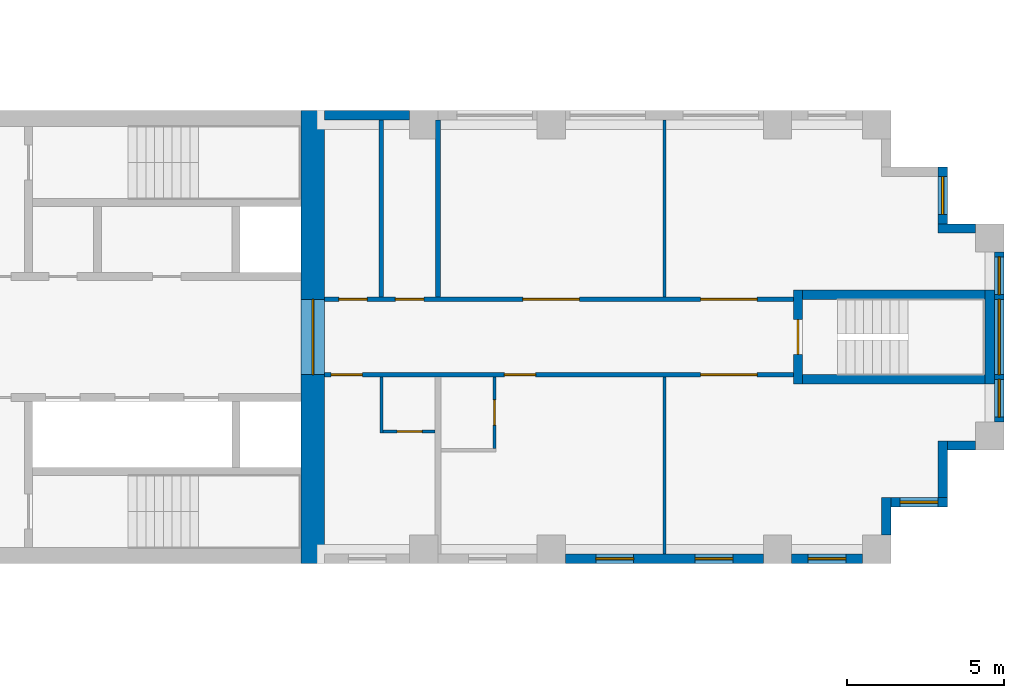
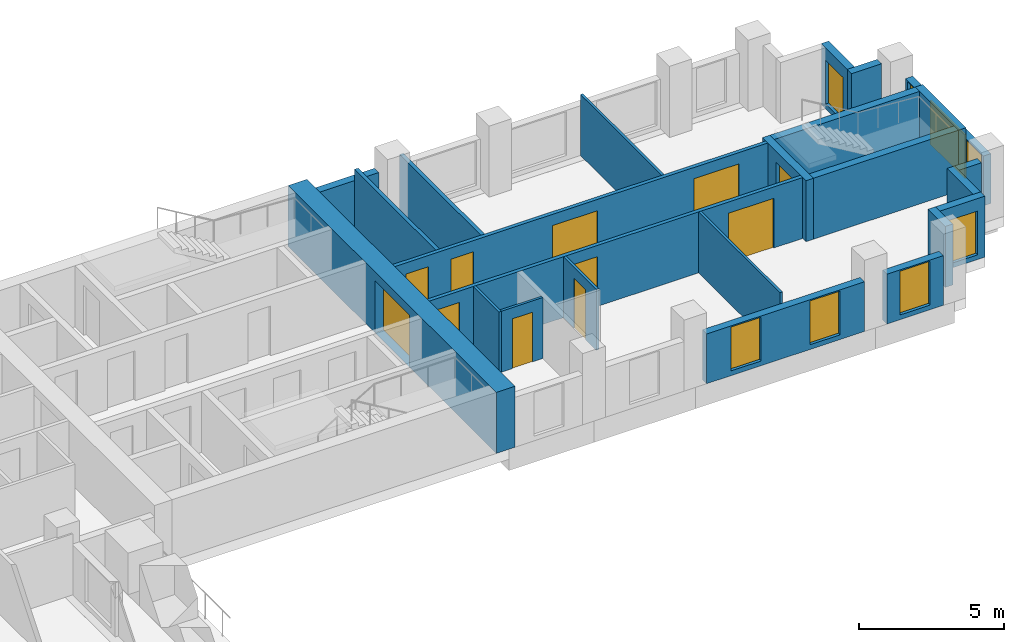
# One storey, part 10 of 13: 24 walls, 11 doors, 8 windows, 19 openings.
"""IFC4 building model written with IfcOpenShell, lengths in metres."""

from ifc_helpers import new_model, si_unit, direction, frame, frame_2d, origin, place, context, subcontext, project, spatial, rectangle, extrude, material, layer, layer_set, type_object, element, fill, save


model = new_model("IFC4")

# Units and contexts
model_context = context("Model", 3, precision=1e-05, world=origin(), true_north=direction((0.0, 1.0)))
body_context = subcontext(model_context, "Body", "Model", "MODEL_VIEW")
ifc_project = project(units=[si_unit("LENGTHUNIT", "METRE"), si_unit("AREAUNIT", "SQUARE_METRE"), si_unit("VOLUMEUNIT", "CUBIC_METRE"), si_unit("PLANEANGLEUNIT", "RADIAN"), si_unit("MASSUNIT", "GRAM", prefix="KILO")], contexts=[model_context])

# Site, building, storey
site_placement = place(None, origin())
site = spatial("IfcSite", under=ifc_project, at=site_placement, CompositionType="ELEMENT")
building_placement = place(site_placement, origin())
building = spatial("IfcBuilding", under=site, at=building_placement, Name="Fustian Cross Tower", CompositionType="ELEMENT")
storey_placement = place(building_placement, frame((0.0, 0.0, 105.89990234375)))
storey = spatial("IfcBuildingStorey", under=building, at=storey_placement, Name="L33", CompositionType="ELEMENT", Elevation=105.89990234375)

# Wall, openings, doors
ifc_material_1 = material(Name="Plasterboard on steel stud", Category="steel")
ifc_layer_1 = layer(ifc_material_1, 0.14990234375)
ifc_layer_set_1 = layer_set([ifc_layer_1], Name="Plasterboard on steel stud")
wall_type_1 = type_object("IfcWallType", Name="COMPARTMENT WALL 150 EI 60", PredefinedType="PARTITIONING", material=ifc_layer_set_1)
wall_1_placement = place(storey_placement, frame((21.60009765625, -1.199951171875, 0.0), z_axis=(0.0, 0.0, 1.0), x_axis=(1.0, 0.0, 0.0)))
wall_1 = element("IfcWall", 1, at=wall_1_placement, inside=storey, type_object=wall_type_1, Name="Partition 70", PredefinedType="PARTITIONING", context=body_context, shape_type="SweptSolid", body=[
    extrude(rectangle(XDim=14.89990234375, YDim=0.14990234375, at=frame_2d((7.449951171875, 0.0))), origin(), (0.0, 0.0, 1.0), 2.5751953125),
])
opening_1_placement = place(wall_1_placement, frame((0.199951171875, 0.0, 0.0)))
opening_1 = element("IfcOpeningElement", 2, at=opening_1_placement, cuts=wall_1, Name="Opening D15016", PredefinedType="OPENING", context=body_context, shape_type="SweptSolid", body=[
    extrude(rectangle(XDim=1.0, YDim=2.10009765625, at=frame_2d((0.5, 1.050048828125))), frame((0.0, 0.0849609375, 0.0), z_axis=(0.0, -1.0, 0.0), x_axis=(1.0, 0.0, 0.0)), (0.0, 0.0, 1.0), 0.169921875),
])
opening_2_placement = place(wall_1_placement, frame((5.7099609375, 0.0, 0.0)))
opening_2 = element("IfcOpeningElement", 3, at=opening_2_placement, cuts=wall_1, Name="Opening D15018", PredefinedType="OPENING", context=body_context, shape_type="SweptSolid", body=[
    extrude(rectangle(XDim=1.0, YDim=2.10009765625, at=frame_2d((0.5, 1.050048828125))), frame((0.0, 0.0849609375, 0.0), z_axis=(0.0, -1.0, 0.0), x_axis=(1.0, 0.0, 0.0)), (0.0, 0.0, 1.0), 0.169921875),
])
opening_3_placement = place(wall_1_placement, frame((11.949951171875, 0.0, 0.0)))
opening_3 = element("IfcOpeningElement", 4, at=opening_3_placement, cuts=wall_1, Name="Opening D15019", PredefinedType="OPENING", context=body_context, shape_type="SweptSolid", body=[
    extrude(rectangle(XDim=1.800048828125, YDim=2.10009765625, at=frame_2d((0.89990234375, 1.050048828125))), frame((0.0, 0.0849609375, 0.0), z_axis=(0.0, -1.0, 0.0), x_axis=(1.0, 0.0, 0.0)), (0.0, 0.0, 1.0), 0.169921875),
])
ifc_material_2 = material(Name="Timber fire door set", Category="wood")
door_type_1 = type_object("IfcDoorType", Name="FIRE DOUBLE DOOR 1800 FD30S", OperationType="DOUBLE_DOOR_DOUBLE_SWING", PredefinedType="DOOR", material=ifc_material_2)
door_1_placement = place(opening_3_placement, origin())
door_1 = element("IfcDoor", 5, at=door_1_placement, inside=storey, type_object=door_type_1, Name="Door D15019", OperationType="DOUBLE_DOOR_DOUBLE_SWING", OverallHeight=2.10009765625, OverallWidth=1.800048828125, PredefinedType="DOOR", context=body_context, shape_type="SweptSolid", body=[
    extrude(rectangle(XDim=1.800048828125, YDim=2.10009765625, at=frame_2d((0.89990234375, 1.050048828125))), frame((0.0, 0.02490234375, 0.0), z_axis=(0.0, -1.0, 0.0), x_axis=(1.0, 0.0, 0.0)), (0.0, 0.0, 1.0), 0.050048828125),
])
fill(opening_3, door_1)
ifc_material_3 = material(Name="Timber fire door set", Category="wood")
door_type_2 = type_object("IfcDoorType", Name="FIRE SWING DOOR 1000 FD30S", OperationType="SINGLE_SWING_LEFT", PredefinedType="DOOR", material=ifc_material_3)
door_2_placement = place(opening_1_placement, frame((1.0, 0.0, 0.0), z_axis=(0.0, 0.0, 1.0), x_axis=(-1.0, 0.0, 0.0)))
door_2 = element("IfcDoor", 6, at=door_2_placement, inside=storey, type_object=door_type_2, Name="Door D15016", OperationType="SINGLE_SWING_RIGHT", OverallHeight=2.10009765625, OverallWidth=1.0, PredefinedType="DOOR", context=body_context, shape_type="SweptSolid", body=[
    extrude(rectangle(XDim=1.0, YDim=2.10009765625, at=frame_2d((0.5, 1.050048828125))), frame((0.0, 0.02490234375, 0.0), z_axis=(0.0, -1.0, 0.0), x_axis=(1.0, 0.0, 0.0)), (0.0, 0.0, 1.0), 0.050048828125),
])
fill(opening_1, door_2)
door_3_placement = place(opening_2_placement, frame((1.0, 0.0, 0.0), z_axis=(0.0, 0.0, 1.0), x_axis=(-1.0, 0.0, 0.0)))
door_3 = element("IfcDoor", 7, at=door_3_placement, inside=storey, type_object=door_type_2, Name="Door D15018", OperationType="SINGLE_SWING_RIGHT", OverallHeight=2.10009765625, OverallWidth=1.0, PredefinedType="DOOR", context=body_context, shape_type="SweptSolid", body=[
    extrude(rectangle(XDim=1.0, YDim=2.10009765625, at=frame_2d((0.5, 1.050048828125))), frame((0.0, 0.02490234375, 0.0), z_axis=(0.0, -1.0, 0.0), x_axis=(1.0, 0.0, 0.0)), (0.0, 0.0, 1.0), 0.050048828125),
])
fill(opening_2, door_3)

wall_2_placement = place(storey_placement, frame((21.60009765625, 1.199951171875, 0.0), z_axis=(0.0, 0.0, 1.0), x_axis=(1.0, 0.0, 0.0)))
wall_2 = element("IfcWall", 8, at=wall_2_placement, inside=storey, type_object=wall_type_1, Name="Partition 71", PredefinedType="PARTITIONING", context=body_context, shape_type="SweptSolid", body=[
    extrude(rectangle(XDim=14.89990234375, YDim=0.14990234375, at=frame_2d((7.449951171875, 0.0))), origin(), (0.0, 0.0, 1.0), 2.5751953125),
])
opening_4_placement = place(wall_2_placement, frame((0.449951171875, 0.0, 0.0)))
opening_4 = element("IfcOpeningElement", 9, at=opening_4_placement, cuts=wall_2, Name="Opening D15011", PredefinedType="OPENING", context=body_context, shape_type="SweptSolid", body=[
    extrude(rectangle(XDim=0.89990234375, YDim=2.10009765625, at=frame_2d((0.449951171875, 1.050048828125))), frame((0.0, 0.0849609375, 0.0), z_axis=(0.0, -1.0, 0.0), x_axis=(1.0, 0.0, 0.0)), (0.0, 0.0, 1.0), 0.169921875),
])
opening_5_placement = place(wall_2_placement, frame((2.25, 0.0, 0.0)))
opening_5 = element("IfcOpeningElement", 10, at=opening_5_placement, cuts=wall_2, Name="Opening D15012", PredefinedType="OPENING", context=body_context, shape_type="SweptSolid", body=[
    extrude(rectangle(XDim=0.89990234375, YDim=2.10009765625, at=frame_2d((0.449951171875, 1.050048828125))), frame((0.0, 0.0849609375, 0.0), z_axis=(0.0, -1.0, 0.0), x_axis=(1.0, 0.0, 0.0)), (0.0, 0.0, 1.0), 0.169921875),
])
opening_6_placement = place(wall_2_placement, frame((6.300048828125, 0.0, 0.0)))
opening_6 = element("IfcOpeningElement", 11, at=opening_6_placement, cuts=wall_2, Name="Opening D15013", PredefinedType="OPENING", context=body_context, shape_type="SweptSolid", body=[
    extrude(rectangle(XDim=1.800048828125, YDim=2.10009765625, at=frame_2d((0.89990234375, 1.050048828125))), frame((0.0, 0.0849609375, 0.0), z_axis=(0.0, -1.0, 0.0), x_axis=(1.0, 0.0, 0.0)), (0.0, 0.0, 1.0), 0.169921875),
])
opening_7_placement = place(wall_2_placement, frame((11.949951171875, 0.0, 0.0)))
opening_7 = element("IfcOpeningElement", 12, at=opening_7_placement, cuts=wall_2, Name="Opening D15014", PredefinedType="OPENING", context=body_context, shape_type="SweptSolid", body=[
    extrude(rectangle(XDim=1.800048828125, YDim=2.10009765625, at=frame_2d((0.89990234375, 1.050048828125))), frame((0.0, 0.0849609375, 0.0), z_axis=(0.0, -1.0, 0.0), x_axis=(1.0, 0.0, 0.0)), (0.0, 0.0, 1.0), 0.169921875),
])
door_4_placement = place(opening_6_placement, frame((1.800048828125, 0.0, 0.0), z_axis=(0.0, 0.0, 1.0), x_axis=(-1.0, 0.0, 0.0)))
door_4 = element("IfcDoor", 13, at=door_4_placement, inside=storey, type_object=door_type_1, Name="Door D15013", OperationType="DOUBLE_DOOR_DOUBLE_SWING", OverallHeight=2.10009765625, OverallWidth=1.800048828125, PredefinedType="DOOR", context=body_context, shape_type="SweptSolid", body=[
    extrude(rectangle(XDim=1.800048828125, YDim=2.10009765625, at=frame_2d((0.89990234375, 1.050048828125))), frame((0.0, 0.02490234375, 0.0), z_axis=(0.0, -1.0, 0.0), x_axis=(1.0, 0.0, 0.0)), (0.0, 0.0, 1.0), 0.050048828125),
])
fill(opening_6, door_4)
door_5_placement = place(opening_7_placement, frame((1.800048828125, 0.0, 0.0), z_axis=(0.0, 0.0, 1.0), x_axis=(-1.0, 0.0, 0.0)))
door_5 = element("IfcDoor", 14, at=door_5_placement, inside=storey, type_object=door_type_1, Name="Door D15014", OperationType="DOUBLE_DOOR_DOUBLE_SWING", OverallHeight=2.10009765625, OverallWidth=1.800048828125, PredefinedType="DOOR", context=body_context, shape_type="SweptSolid", body=[
    extrude(rectangle(XDim=1.800048828125, YDim=2.10009765625, at=frame_2d((0.89990234375, 1.050048828125))), frame((0.0, 0.02490234375, 0.0), z_axis=(0.0, -1.0, 0.0), x_axis=(1.0, 0.0, 0.0)), (0.0, 0.0, 1.0), 0.050048828125),
])
fill(opening_7, door_5)
ifc_material_4 = material(Name="Timber fire door set", Category="wood")
door_type_3 = type_object("IfcDoorType", Name="FIRE SWING DOOR 900 FD30S", OperationType="SINGLE_SWING_LEFT", PredefinedType="DOOR", material=ifc_material_4)
door_6_placement = place(opening_4_placement, origin())
door_6 = element("IfcDoor", 15, at=door_6_placement, inside=storey, type_object=door_type_3, Name="Door D15011", OperationType="SINGLE_SWING_RIGHT", OverallHeight=2.10009765625, OverallWidth=0.89990234375, PredefinedType="DOOR", context=body_context, shape_type="SweptSolid", body=[
    extrude(rectangle(XDim=0.89990234375, YDim=2.10009765625, at=frame_2d((0.449951171875, 1.050048828125))), frame((0.0, 0.02490234375, 0.0), z_axis=(0.0, -1.0, 0.0), x_axis=(1.0, 0.0, 0.0)), (0.0, 0.0, 1.0), 0.050048828125),
])
fill(opening_4, door_6)
door_7_placement = place(opening_5_placement, origin())
door_7 = element("IfcDoor", 16, at=door_7_placement, inside=storey, type_object=door_type_3, Name="Door D15012", OperationType="SINGLE_SWING_RIGHT", OverallHeight=2.10009765625, OverallWidth=0.89990234375, PredefinedType="DOOR", context=body_context, shape_type="SweptSolid", body=[
    extrude(rectangle(XDim=0.89990234375, YDim=2.10009765625, at=frame_2d((0.449951171875, 1.050048828125))), frame((0.0, 0.02490234375, 0.0), z_axis=(0.0, -1.0, 0.0), x_axis=(1.0, 0.0, 0.0)), (0.0, 0.0, 1.0), 0.050048828125),
])
fill(opening_5, door_7)

# Walls
for number, where, z_axis, x_axis, name in (
    (17, (23.39990234375, 1.27490234375, 0.0), (0.0, 0.0, 1.0), (0.0, 1.0, 0.0), "Partition 74"),
    (18, (25.199951171875, 1.27490234375, 0.0), (0.0, 0.0, 1.0), (0.0, 1.0, 0.0), "Partition 77"),
):
    element("IfcWall", number, at=place(storey_placement, frame(where, z_axis=z_axis, x_axis=x_axis)), inside=storey, type_object=wall_type_1, Name=name, PredefinedType="PARTITIONING", context=body_context, shape_type="SweptSolid", body=[
        extrude(rectangle(XDim=5.625, YDim=0.14990234375, at=frame_2d((2.8125, 0.0))), origin(), (0.0, 0.0, 1.0), 2.5751953125),
    ])

# Wall, opening, door
ifc_material_5 = material(Name="Concrete C70/85", Category="concrete")
ifc_layer_2 = layer(ifc_material_5, 0.75)
ifc_layer_set_2 = layer_set([ifc_layer_2], Name="Concrete C70/85")
wall_type_2 = type_object("IfcWallType", Name="CORE END WALL 750 C70/85", PredefinedType="SHEAR", material=ifc_layer_set_2)
wall_3_placement = place(storey_placement, frame((21.22509765625, -7.199951171875, 0.0), z_axis=(0.0, 0.0, 1.0), x_axis=(0.0, 1.0, 0.0)))
wall_3 = element("IfcWall", 19, at=wall_3_placement, inside=storey, type_object=wall_type_2, Name="Core end wall", PredefinedType="SHEAR", context=body_context, shape_type="SweptSolid", body=[
    extrude(rectangle(XDim=14.39990234375, YDim=0.75, at=frame_2d((7.199951171875, 0.0))), origin(), (0.0, 0.0, 1.0), 2.5751953125),
])
opening_8_placement = place(wall_3_placement, frame((6.0, 0.0, 0.0)))
opening_8 = element("IfcOpeningElement", 20, at=opening_8_placement, cuts=wall_3, Name="Opening CD-10-13", PredefinedType="OPENING", context=body_context, shape_type="SweptSolid", body=[
    extrude(rectangle(XDim=2.39990234375, YDim=2.199951171875, at=frame_2d((1.199951171875, 1.10009765625))), frame((0.0, 0.385009765625, 0.0), z_axis=(0.0, -1.0, 0.0), x_axis=(1.0, 0.0, 0.0)), (0.0, 0.0, 1.0), 0.77001953125),
])
ifc_material_6 = material(Name="Steel", Category="steel")
door_type_4 = type_object("IfcDoorType", Name="FIRE DOOR FD30S DOUBLE 2400X2200", OperationType="DOUBLE_DOOR_DOUBLE_SWING", PredefinedType="DOOR", material=ifc_material_6)
door_8_placement = place(opening_8_placement, origin())
door_8 = element("IfcDoor", 21, at=door_8_placement, inside=storey, type_object=door_type_4, Name="Core door CD-10-13", OperationType="DOUBLE_DOOR_DOUBLE_SWING", OverallHeight=2.199951171875, OverallWidth=2.39990234375, PredefinedType="DOOR", context=body_context, shape_type="SweptSolid", body=[
    extrude(rectangle(XDim=2.39990234375, YDim=2.199951171875, at=frame_2d((1.199951171875, 1.10009765625))), frame((0.0, 0.02490234375, 0.0), z_axis=(0.0, -1.0, 0.0), x_axis=(1.0, 0.0, 0.0)), (0.0, 0.0, 1.0), 0.050048828125),
])
fill(opening_8, door_8)

# Wall
ifc_material_7 = material(Name="Plasterboard on steel stud", Category="steel")
ifc_layer_3 = layer(ifc_material_7, 0.10009765625)
ifc_layer_set_3 = layer_set([ifc_layer_3], Name="Plasterboard on steel stud")
wall_type_3 = type_object("IfcWallType", Name="PARTITION 100 STUD", PredefinedType="PARTITIONING", material=ifc_layer_set_3)
wall_4_placement = place(storey_placement, frame((23.39990234375, -3.050048828125, 0.0), z_axis=(0.0, 0.0, 1.0), x_axis=(0.0, 1.0, 0.0)))
element("IfcWall", 22, at=wall_4_placement, inside=storey, type_object=wall_type_3, Name="Partition 72", PredefinedType="PARTITIONING", context=body_context, shape_type="SweptSolid", body=[
    extrude(rectangle(XDim=1.775146484375, YDim=0.10009765625, at=frame_2d((0.8876953125, 0.0))), origin(), (0.0, 0.0, 1.0), 2.5751953125),
])

# Wall, opening, door
wall_5_placement = place(storey_placement, frame((23.449951171875, -3.0, 0.0), z_axis=(0.0, 0.0, 1.0), x_axis=(1.0, 0.0, 0.0)))
wall_5 = element("IfcWall", 23, at=wall_5_placement, inside=storey, type_object=wall_type_3, Name="Partition 73", PredefinedType="PARTITIONING", context=body_context, shape_type="SweptSolid", body=[
    extrude(rectangle(XDim=1.650146484375, YDim=0.10009765625, at=frame_2d((0.8251953125, 0.0))), origin(), (0.0, 0.0, 1.0), 2.5751953125),
])
opening_9_placement = place(wall_5_placement, frame((0.449951171875, 0.0, 0.0)))
opening_9 = element("IfcOpeningElement", 24, at=opening_9_placement, cuts=wall_5, Name="Opening D15015", PredefinedType="OPENING", context=body_context, shape_type="SweptSolid", body=[
    extrude(rectangle(XDim=0.800048828125, YDim=2.10009765625, at=frame_2d((0.39990234375, 1.050048828125))), frame((0.0, 0.06005859375, 0.0), z_axis=(0.0, -1.0, 0.0), x_axis=(1.0, 0.0, 0.0)), (0.0, 0.0, 1.0), 0.1201171875),
])
ifc_material_8 = material(Name="Painted timber", Category="wood")
door_type_5 = type_object("IfcDoorType", Name="SWING DOOR 800", OperationType="SINGLE_SWING_LEFT", PredefinedType="DOOR", material=ifc_material_8)
door_9_placement = place(opening_9_placement, origin())
door_9 = element("IfcDoor", 25, at=door_9_placement, inside=storey, type_object=door_type_5, Name="Door D15015", OperationType="SINGLE_SWING_RIGHT", OverallHeight=2.10009765625, OverallWidth=0.800048828125, PredefinedType="DOOR", context=body_context, shape_type="SweptSolid", body=[
    extrude(rectangle(XDim=0.800048828125, YDim=2.10009765625, at=frame_2d((0.39990234375, 1.050048828125))), frame((0.0, 0.02490234375, 0.0), z_axis=(0.0, -1.0, 0.0), x_axis=(1.0, 0.0, 0.0)), (0.0, 0.0, 1.0), 0.050048828125),
])
fill(opening_9, door_9)

wall_6_placement = place(storey_placement, frame((27.0, -3.550048828125, 0.0), z_axis=(0.0, 0.0, 1.0), x_axis=(0.0, 1.0, 0.0)))
wall_6 = element("IfcWall", 26, at=wall_6_placement, inside=storey, type_object=wall_type_3, Name="Partition 78", PredefinedType="PARTITIONING", context=body_context, shape_type="SweptSolid", body=[
    extrude(rectangle(XDim=2.275146484375, YDim=0.10009765625, at=frame_2d((1.1376953125, 0.0))), origin(), (0.0, 0.0, 1.0), 2.5751953125),
])
opening_10_placement = place(wall_6_placement, frame((0.75, 0.0, 0.0)))
opening_10 = element("IfcOpeningElement", 27, at=opening_10_placement, cuts=wall_6, Name="Opening D15017", PredefinedType="OPENING", context=body_context, shape_type="SweptSolid", body=[
    extrude(rectangle(XDim=0.800048828125, YDim=2.10009765625, at=frame_2d((0.39990234375, 1.050048828125))), frame((0.0, 0.06005859375, 0.0), z_axis=(0.0, -1.0, 0.0), x_axis=(1.0, 0.0, 0.0)), (0.0, 0.0, 1.0), 0.1201171875),
])
door_10_placement = place(opening_10_placement, origin())
door_10 = element("IfcDoor", 28, at=door_10_placement, inside=storey, type_object=door_type_5, Name="Door D15017", OperationType="SINGLE_SWING_LEFT", OverallHeight=2.10009765625, OverallWidth=0.800048828125, PredefinedType="DOOR", context=body_context, shape_type="SweptSolid", body=[
    extrude(rectangle(XDim=0.800048828125, YDim=2.10009765625, at=frame_2d((0.39990234375, 1.050048828125))), frame((0.0, 0.02490234375, 0.0), z_axis=(0.0, -1.0, 0.0), x_axis=(1.0, 0.0, 0.0)), (0.0, 0.0, 1.0), 0.050048828125),
])
fill(opening_10, door_10)

# Walls
for number, where, z_axis, x_axis, name in (
    (29, (32.39990234375, -6.89990234375, 0.0), (0.0, 0.0, 1.0), (0.0, 1.0, 0.0), "Partition 79"),
    (30, (32.39990234375, 1.27490234375, 0.0), (0.0, 0.0, 1.0), (0.0, 1.0, 0.0), "Partition 80"),
):
    element("IfcWall", number, at=place(storey_placement, frame(where, z_axis=z_axis, x_axis=x_axis)), inside=storey, type_object=wall_type_3, Name=name, PredefinedType="PARTITIONING", context=body_context, shape_type="SweptSolid", body=[
        extrude(rectangle(XDim=5.625, YDim=0.10009765625, at=frame_2d((2.8125, 0.0))), origin(), (0.0, 0.0, 1.0), 2.5751953125),
    ])

# Wall, opening, door
ifc_material_9 = material(Name="Concrete C50/60", Category="concrete")
ifc_layer_4 = layer(ifc_material_9, 0.300048828125)
ifc_layer_set_4 = layer_set([ifc_layer_4], Name="Concrete C50/60")
wall_type_4 = type_object("IfcWallType", Name="STAIR ENCLOSURE WALL 300 C50/60", PredefinedType="SHEAR", material=ifc_layer_set_4)
wall_7_placement = place(storey_placement, frame((36.64990234375, -1.5, 0.0), z_axis=(0.0, 0.0, 1.0), x_axis=(0.0, 1.0, 0.0)))
wall_7 = element("IfcWall", 31, at=wall_7_placement, inside=storey, type_object=wall_type_4, Name="Stair enclosure wall", PredefinedType="SHEAR", context=body_context, shape_type="SweptSolid", body=[
    extrude(rectangle(XDim=3.0, YDim=0.300048828125, at=frame_2d((1.5, 0.0))), origin(), (0.0, 0.0, 1.0), 2.5751953125),
])
opening_11_placement = place(wall_7_placement, frame((0.949951171875, 0.0, 0.0)))
opening_11 = element("IfcOpeningElement", 32, at=opening_11_placement, cuts=wall_7, Name="Opening CD-10-32", PredefinedType="OPENING", context=body_context, shape_type="SweptSolid", body=[
    extrude(rectangle(XDim=1.10009765625, YDim=2.10009765625, at=frame_2d((0.550048828125, 1.050048828125))), frame((0.0, 0.159912109375, 0.0), z_axis=(0.0, -1.0, 0.0), x_axis=(1.0, 0.0, 0.0)), (0.0, 0.0, 1.0), 0.320068359375),
])
ifc_material_10 = material(Name="Steel", Category="steel")
door_type_6 = type_object("IfcDoorType", Name="FIRE DOOR FD60S 1100X2100", OperationType="SINGLE_SWING_LEFT", PredefinedType="DOOR", material=ifc_material_10)
door_11_placement = place(opening_11_placement, frame((1.10009765625, 0.0, 0.0), z_axis=(0.0, 0.0, 1.0), x_axis=(-1.0, 0.0, 0.0)))
door_11 = element("IfcDoor", 33, at=door_11_placement, inside=storey, type_object=door_type_6, Name="Core door CD-10-32", OperationType="SINGLE_SWING_RIGHT", OverallHeight=2.10009765625, OverallWidth=1.10009765625, PredefinedType="DOOR", context=body_context, shape_type="SweptSolid", body=[
    extrude(rectangle(XDim=1.10009765625, YDim=2.10009765625, at=frame_2d((0.550048828125, 1.050048828125))), frame((0.0, 0.02490234375, 0.0), z_axis=(0.0, -1.0, 0.0), x_axis=(1.0, 0.0, 0.0)), (0.0, 0.0, 1.0), 0.050048828125),
])
fill(opening_11, door_11)

# Walls
wall_8_placement = place(storey_placement, frame((42.75, -1.5, 0.0), z_axis=(0.0, 0.0, 1.0), x_axis=(0.0, 1.0, 0.0)))
element("IfcWall", 34, at=wall_8_placement, inside=storey, type_object=wall_type_4, Name="Stair enclosure wall", PredefinedType="SHEAR", context=body_context, shape_type="SweptSolid", body=[
    extrude(rectangle(XDim=3.0, YDim=0.300048828125, at=frame_2d((1.5, 0.0))), origin(), (0.0, 0.0, 1.0), 2.5751953125),
])
for number, where, z_axis, x_axis, name in (
    (35, (36.800048828125, -1.35009765625, 0.0), (0.0, 0.0, 1.0), (1.0, 0.0, 0.0), "Stair enclosure wall"),
    (36, (36.800048828125, 1.35009765625, 0.0), (0.0, 0.0, 1.0), (1.0, 0.0, 0.0), "Stair enclosure wall"),
):
    element("IfcWall", number, at=place(storey_placement, frame(where, z_axis=z_axis, x_axis=x_axis)), inside=storey, type_object=wall_type_4, Name=name, PredefinedType="SHEAR", context=body_context, shape_type="SweptSolid", body=[
        extrude(rectangle(XDim=5.800048828125, YDim=0.300048828125, at=frame_2d((2.89990234375, 0.0))), origin(), (0.0, 0.0, 1.0), 2.5751953125),
    ])

# Wall, openings, windows
ifc_material_11 = material(Name="Dark aluminium cladding on insulated backing wall", Category="aluminium")
ifc_layer_5 = layer(ifc_material_11, 0.300048828125)
ifc_layer_set_5 = layer_set([ifc_layer_5], Name="Dark aluminium cladding on insulated backing wall")
wall_type_5 = type_object("IfcWallType", Name="XW1 EXTERNAL WALL 300", PredefinedType="SOLIDWALL", material=ifc_layer_set_5)
wall_9_placement = place(storey_placement, frame((29.25, -7.050048828125, 0.0), z_axis=(0.0, 0.0, 1.0), x_axis=(1.0, 0.0, 0.0)))
wall_9 = element("IfcWall", 37, at=wall_9_placement, inside=storey, type_object=wall_type_5, Name="External wall", PredefinedType="SOLIDWALL", context=body_context, shape_type="SweptSolid", body=[
    extrude(rectangle(XDim=6.300048828125, YDim=0.300048828125, at=frame_2d((3.14990234375, 0.0))), origin(), (0.0, 0.0, 1.0), 2.10009765625),
])
opening_12_placement = place(wall_9_placement, frame((0.97509765625, 0.0, 0.199951171875)))
opening_12 = element("IfcOpeningElement", 38, at=opening_12_placement, cuts=wall_9, Name="Opening WN3", PredefinedType="OPENING", context=body_context, shape_type="SweptSolid", body=[
    extrude(rectangle(XDim=1.199951171875, YDim=1.85009765625, at=frame_2d((0.60009765625, 0.925048828125))), frame((0.0, 0.159912109375, 0.0), z_axis=(0.0, -1.0, 0.0), x_axis=(1.0, 0.0, 0.0)), (0.0, 0.0, 1.0), 0.320068359375),
])
opening_13_placement = place(wall_9_placement, frame((4.125, 0.0, 0.199951171875)))
opening_13 = element("IfcOpeningElement", 39, at=opening_13_placement, cuts=wall_9, Name="Opening WN3", PredefinedType="OPENING", context=body_context, shape_type="SweptSolid", body=[
    extrude(rectangle(XDim=1.199951171875, YDim=1.85009765625, at=frame_2d((0.60009765625, 0.925048828125))), frame((0.0, 0.159912109375, 0.0), z_axis=(0.0, -1.0, 0.0), x_axis=(1.0, 0.0, 0.0)), (0.0, 0.0, 1.0), 0.320068359375),
])
ifc_material_12 = material(Name="Dark anodised aluminium and double glazing", Category="aluminium")
window_type_1 = type_object("IfcWindowType", Name="WN3 WINDOW 1200X1850", PartitioningType="SINGLE_PANEL", PredefinedType="WINDOW", material=ifc_material_12)
window_1_placement = place(opening_12_placement, origin())
window_1 = element("IfcWindow", 40, at=window_1_placement, inside=storey, type_object=window_type_1, Name="Window", OverallHeight=1.85009765625, OverallWidth=1.199951171875, PartitioningType="SINGLE_PANEL", PredefinedType="WINDOW", context=body_context, shape_type="SweptSolid", body=[
    extrude(rectangle(XDim=1.199951171875, YDim=1.85009765625, at=frame_2d((0.60009765625, 0.925048828125))), frame((0.0, 0.030029296875, 0.0), z_axis=(0.0, -1.0, 0.0), x_axis=(1.0, 0.0, 0.0)), (0.0, 0.0, 1.0), 0.06005859375),
])
fill(opening_12, window_1)
window_2_placement = place(opening_13_placement, origin())
window_2 = element("IfcWindow", 41, at=window_2_placement, inside=storey, type_object=window_type_1, Name="Window", OverallHeight=1.85009765625, OverallWidth=1.199951171875, PartitioningType="SINGLE_PANEL", PredefinedType="WINDOW", context=body_context, shape_type="SweptSolid", body=[
    extrude(rectangle(XDim=1.199951171875, YDim=1.85009765625, at=frame_2d((0.60009765625, 0.925048828125))), frame((0.0, 0.030029296875, 0.0), z_axis=(0.0, -1.0, 0.0), x_axis=(1.0, 0.0, 0.0)), (0.0, 0.0, 1.0), 0.06005859375),
])
fill(opening_13, window_2)

# Wall, opening, window
wall_10_placement = place(storey_placement, frame((36.449951171875, -7.050048828125, 0.0), z_axis=(0.0, 0.0, 1.0), x_axis=(1.0, 0.0, 0.0)))
wall_10 = element("IfcWall", 42, at=wall_10_placement, inside=storey, type_object=wall_type_5, Name="External wall", PredefinedType="SOLIDWALL", context=body_context, shape_type="SweptSolid", body=[
    extrude(rectangle(XDim=2.25, YDim=0.300048828125, at=frame_2d((1.125, 0.0))), origin(), (0.0, 0.0, 1.0), 2.10009765625),
])
opening_14_placement = place(wall_10_placement, frame((0.52490234375, 0.0, 0.199951171875)))
opening_14 = element("IfcOpeningElement", 43, at=opening_14_placement, cuts=wall_10, Name="Opening WN3", PredefinedType="OPENING", context=body_context, shape_type="SweptSolid", body=[
    extrude(rectangle(XDim=1.199951171875, YDim=1.85009765625, at=frame_2d((0.60009765625, 0.925048828125))), frame((0.0, 0.159912109375, 0.0), z_axis=(0.0, -1.0, 0.0), x_axis=(1.0, 0.0, 0.0)), (0.0, 0.0, 1.0), 0.320068359375),
])
window_3_placement = place(opening_14_placement, origin())
window_3 = element("IfcWindow", 44, at=window_3_placement, inside=storey, type_object=window_type_1, Name="Window", OverallHeight=1.85009765625, OverallWidth=1.199951171875, PartitioningType="SINGLE_PANEL", PredefinedType="WINDOW", context=body_context, shape_type="SweptSolid", body=[
    extrude(rectangle(XDim=1.199951171875, YDim=1.85009765625, at=frame_2d((0.60009765625, 0.925048828125))), frame((0.0, 0.030029296875, 0.0), z_axis=(0.0, -1.0, 0.0), x_axis=(1.0, 0.0, 0.0)), (0.0, 0.0, 1.0), 0.06005859375),
])
fill(opening_14, window_3)

# Wall
wall_11_placement = place(storey_placement, frame((39.449951171875, -6.300048828125, 0.0), z_axis=(0.0, 0.0, 1.0), x_axis=(0.0, 1.0, 0.0)))
element("IfcWall", 45, at=wall_11_placement, inside=storey, type_object=wall_type_5, Name="External wall", PredefinedType="SOLIDWALL", context=body_context, shape_type="SweptSolid", body=[
    extrude(rectangle(XDim=1.199951171875, YDim=0.300048828125, at=frame_2d((0.60009765625, 0.0))), origin(), (0.0, 0.0, 1.0), 2.5751953125),
])

# Wall, opening, window
wall_12_placement = place(storey_placement, frame((39.60009765625, -5.25, 0.0), z_axis=(0.0, 0.0, 1.0), x_axis=(1.0, 0.0, 0.0)))
wall_12 = element("IfcWall", 46, at=wall_12_placement, inside=storey, type_object=wall_type_5, Name="External wall", PredefinedType="SOLIDWALL", context=body_context, shape_type="SweptSolid", body=[
    extrude(rectangle(XDim=1.7998046875, YDim=0.300048828125, at=frame_2d((0.89990234375, 0.0))), origin(), (0.0, 0.0, 1.0), 2.5751953125),
])
opening_15_placement = place(wall_12_placement, frame((0.300048828125, 0.0, 0.199951171875)))
opening_15 = element("IfcOpeningElement", 47, at=opening_15_placement, cuts=wall_12, Name="Opening WN3", PredefinedType="OPENING", context=body_context, shape_type="SweptSolid", body=[
    extrude(rectangle(XDim=1.199951171875, YDim=1.85009765625, at=frame_2d((0.60009765625, 0.925048828125))), frame((0.0, 0.159912109375, 0.0), z_axis=(0.0, -1.0, 0.0), x_axis=(1.0, 0.0, 0.0)), (0.0, 0.0, 1.0), 0.320068359375),
])
window_4_placement = place(opening_15_placement, origin())
window_4 = element("IfcWindow", 48, at=window_4_placement, inside=storey, type_object=window_type_1, Name="Window", OverallHeight=1.85009765625, OverallWidth=1.199951171875, PartitioningType="SINGLE_PANEL", PredefinedType="WINDOW", context=body_context, shape_type="SweptSolid", body=[
    extrude(rectangle(XDim=1.199951171875, YDim=1.85009765625, at=frame_2d((0.60009765625, 0.925048828125))), frame((0.0, 0.030029296875, 0.0), z_axis=(0.0, -1.0, 0.0), x_axis=(1.0, 0.0, 0.0)), (0.0, 0.0, 1.0), 0.06005859375),
])
fill(opening_15, window_4)

# Walls
wall_13_placement = place(storey_placement, frame((41.25, -5.10009765625, 0.0), z_axis=(0.0, 0.0, 1.0), x_axis=(0.0, 1.0, 0.0)))
element("IfcWall", 49, at=wall_13_placement, inside=storey, type_object=wall_type_5, Name="External wall", PredefinedType="SOLIDWALL", context=body_context, shape_type="SweptSolid", body=[
    extrude(rectangle(XDim=1.800048828125, YDim=0.300048828125, at=frame_2d((0.89990234375, 0.0))), origin(), (0.0, 0.0, 1.0), 2.5751953125),
])
wall_14_placement = place(storey_placement, frame((41.39990234375, -3.449951171875, 0.0), z_axis=(0.0, 0.0, 1.0), x_axis=(1.0, 0.0, 0.0)))
element("IfcWall", 50, at=wall_14_placement, inside=storey, type_object=wall_type_5, Name="External wall", PredefinedType="SOLIDWALL", context=body_context, shape_type="SweptSolid", body=[
    extrude(rectangle(XDim=0.900146484375, YDim=0.300048828125, at=frame_2d((0.4501953125, 0.0))), origin(), (0.0, 0.0, 1.0), 2.5751953125),
])

# Wall, openings, windows
wall_15_placement = place(storey_placement, frame((43.050048828125, -2.699951171875, 0.0), z_axis=(0.0, 0.0, 1.0), x_axis=(0.0, 1.0, 0.0)))
wall_15 = element("IfcWall", 51, at=wall_15_placement, inside=storey, type_object=wall_type_5, Name="External wall", PredefinedType="SOLIDWALL", context=body_context, shape_type="SweptSolid", body=[
    extrude(rectangle(XDim=5.39990234375, YDim=0.300048828125, at=frame_2d((2.699951171875, 0.0))), origin(), (0.0, 0.0, 1.0), 2.10009765625),
])
opening_16_placement = place(wall_15_placement, frame((1.5, 0.0, 0.199951171875)))
opening_16 = element("IfcOpeningElement", 52, at=opening_16_placement, cuts=wall_15, Name="Opening WN1", PredefinedType="OPENING", context=body_context, shape_type="SweptSolid", body=[
    extrude(rectangle(XDim=2.39990234375, YDim=1.85009765625, at=frame_2d((1.199951171875, 0.925048828125))), frame((0.0, 0.159912109375, 0.0), z_axis=(0.0, -1.0, 0.0), x_axis=(1.0, 0.0, 0.0)), (0.0, 0.0, 1.0), 0.320068359375),
])
opening_17_placement = place(wall_15_placement, frame((0.14990234375, 0.0, 0.199951171875)))
opening_17 = element("IfcOpeningElement", 53, at=opening_17_placement, cuts=wall_15, Name="Opening WN3", PredefinedType="OPENING", context=body_context, shape_type="SweptSolid", body=[
    extrude(rectangle(XDim=1.199951171875, YDim=1.85009765625, at=frame_2d((0.60009765625, 0.925048828125))), frame((0.0, 0.159912109375, 0.0), z_axis=(0.0, -1.0, 0.0), x_axis=(1.0, 0.0, 0.0)), (0.0, 0.0, 1.0), 0.320068359375),
])
opening_18_placement = place(wall_15_placement, frame((4.050048828125, 0.0, 0.199951171875)))
opening_18 = element("IfcOpeningElement", 54, at=opening_18_placement, cuts=wall_15, Name="Opening WN3", PredefinedType="OPENING", context=body_context, shape_type="SweptSolid", body=[
    extrude(rectangle(XDim=1.199951171875, YDim=1.85009765625, at=frame_2d((0.60009765625, 0.925048828125))), frame((0.0, 0.159912109375, 0.0), z_axis=(0.0, -1.0, 0.0), x_axis=(1.0, 0.0, 0.0)), (0.0, 0.0, 1.0), 0.320068359375),
])
ifc_material_13 = material(Name="Dark anodised aluminium and double glazing", Category="aluminium")
window_type_2 = type_object("IfcWindowType", Name="WN1 WINDOW 2400X1850", PartitioningType="SINGLE_PANEL", PredefinedType="WINDOW", material=ifc_material_13)
window_5_placement = place(opening_16_placement, origin())
window_5 = element("IfcWindow", 55, at=window_5_placement, inside=storey, type_object=window_type_2, Name="Window", OverallHeight=1.85009765625, OverallWidth=2.39990234375, PartitioningType="SINGLE_PANEL", PredefinedType="WINDOW", context=body_context, shape_type="SweptSolid", body=[
    extrude(rectangle(XDim=2.39990234375, YDim=1.85009765625, at=frame_2d((1.199951171875, 0.925048828125))), frame((0.0, 0.030029296875, 0.0), z_axis=(0.0, -1.0, 0.0), x_axis=(1.0, 0.0, 0.0)), (0.0, 0.0, 1.0), 0.06005859375),
])
fill(opening_16, window_5)
window_6_placement = place(opening_17_placement, origin())
window_6 = element("IfcWindow", 56, at=window_6_placement, inside=storey, type_object=window_type_1, Name="Window", OverallHeight=1.85009765625, OverallWidth=1.199951171875, PartitioningType="SINGLE_PANEL", PredefinedType="WINDOW", context=body_context, shape_type="SweptSolid", body=[
    extrude(rectangle(XDim=1.199951171875, YDim=1.85009765625, at=frame_2d((0.60009765625, 0.925048828125))), frame((0.0, 0.030029296875, 0.0), z_axis=(0.0, -1.0, 0.0), x_axis=(1.0, 0.0, 0.0)), (0.0, 0.0, 1.0), 0.06005859375),
])
fill(opening_17, window_6)
window_7_placement = place(opening_18_placement, origin())
window_7 = element("IfcWindow", 57, at=window_7_placement, inside=storey, type_object=window_type_1, Name="Window", OverallHeight=1.85009765625, OverallWidth=1.199951171875, PartitioningType="SINGLE_PANEL", PredefinedType="WINDOW", context=body_context, shape_type="SweptSolid", body=[
    extrude(rectangle(XDim=1.199951171875, YDim=1.85009765625, at=frame_2d((0.60009765625, 0.925048828125))), frame((0.0, 0.030029296875, 0.0), z_axis=(0.0, -1.0, 0.0), x_axis=(1.0, 0.0, 0.0)), (0.0, 0.0, 1.0), 0.06005859375),
])
fill(opening_18, window_7)

# Wall
wall_16_placement = place(storey_placement, frame((42.300048828125, 3.449951171875, 0.0), z_axis=(0.0, 0.0, 1.0), x_axis=(-1.0, 0.0, 0.0)))
element("IfcWall", 58, at=wall_16_placement, inside=storey, type_object=wall_type_5, Name="External wall", PredefinedType="SOLIDWALL", context=body_context, shape_type="SweptSolid", body=[
    extrude(rectangle(XDim=1.199951171875, YDim=0.300048828125, at=frame_2d((0.60009765625, 0.0))), origin(), (0.0, 0.0, 1.0), 2.5751953125),
])

# Wall, opening, window
wall_17_placement = place(storey_placement, frame((41.25, 3.60009765625, 0.0), z_axis=(0.0, 0.0, 1.0), x_axis=(0.0, 1.0, 0.0)))
wall_17 = element("IfcWall", 59, at=wall_17_placement, inside=storey, type_object=wall_type_5, Name="External wall", PredefinedType="SOLIDWALL", context=body_context, shape_type="SweptSolid", body=[
    extrude(rectangle(XDim=1.7998046875, YDim=0.300048828125, at=frame_2d((0.89990234375, 0.0))), origin(), (0.0, 0.0, 1.0), 2.5751953125),
])
opening_19_placement = place(wall_17_placement, frame((0.300048828125, 0.0, 0.199951171875)))
opening_19 = element("IfcOpeningElement", 60, at=opening_19_placement, cuts=wall_17, Name="Opening WN3", PredefinedType="OPENING", context=body_context, shape_type="SweptSolid", body=[
    extrude(rectangle(XDim=1.199951171875, YDim=1.85009765625, at=frame_2d((0.60009765625, 0.925048828125))), frame((0.0, 0.159912109375, 0.0), z_axis=(0.0, -1.0, 0.0), x_axis=(1.0, 0.0, 0.0)), (0.0, 0.0, 1.0), 0.320068359375),
])
window_8_placement = place(opening_19_placement, origin())
window_8 = element("IfcWindow", 61, at=window_8_placement, inside=storey, type_object=window_type_1, Name="Window", OverallHeight=1.85009765625, OverallWidth=1.199951171875, PartitioningType="SINGLE_PANEL", PredefinedType="WINDOW", context=body_context, shape_type="SweptSolid", body=[
    extrude(rectangle(XDim=1.199951171875, YDim=1.85009765625, at=frame_2d((0.60009765625, 0.925048828125))), frame((0.0, 0.030029296875, 0.0), z_axis=(0.0, -1.0, 0.0), x_axis=(1.0, 0.0, 0.0)), (0.0, 0.0, 1.0), 0.06005859375),
])
fill(opening_19, window_8)

# Wall
wall_18_placement = place(storey_placement, frame((24.300048828125, 7.050048828125, 0.0), z_axis=(0.0, 0.0, 1.0), x_axis=(-1.0, 0.0, 0.0)))
element("IfcWall", 62, at=wall_18_placement, inside=storey, type_object=wall_type_5, Name="External wall", PredefinedType="SOLIDWALL", context=body_context, shape_type="SweptSolid", body=[
    extrude(rectangle(XDim=2.699951171875, YDim=0.300048828125, at=frame_2d((1.35009765625, 0.0))), origin(), (0.0, 0.0, 1.0), 2.10009765625),
])

save(model, "model.ifc")
